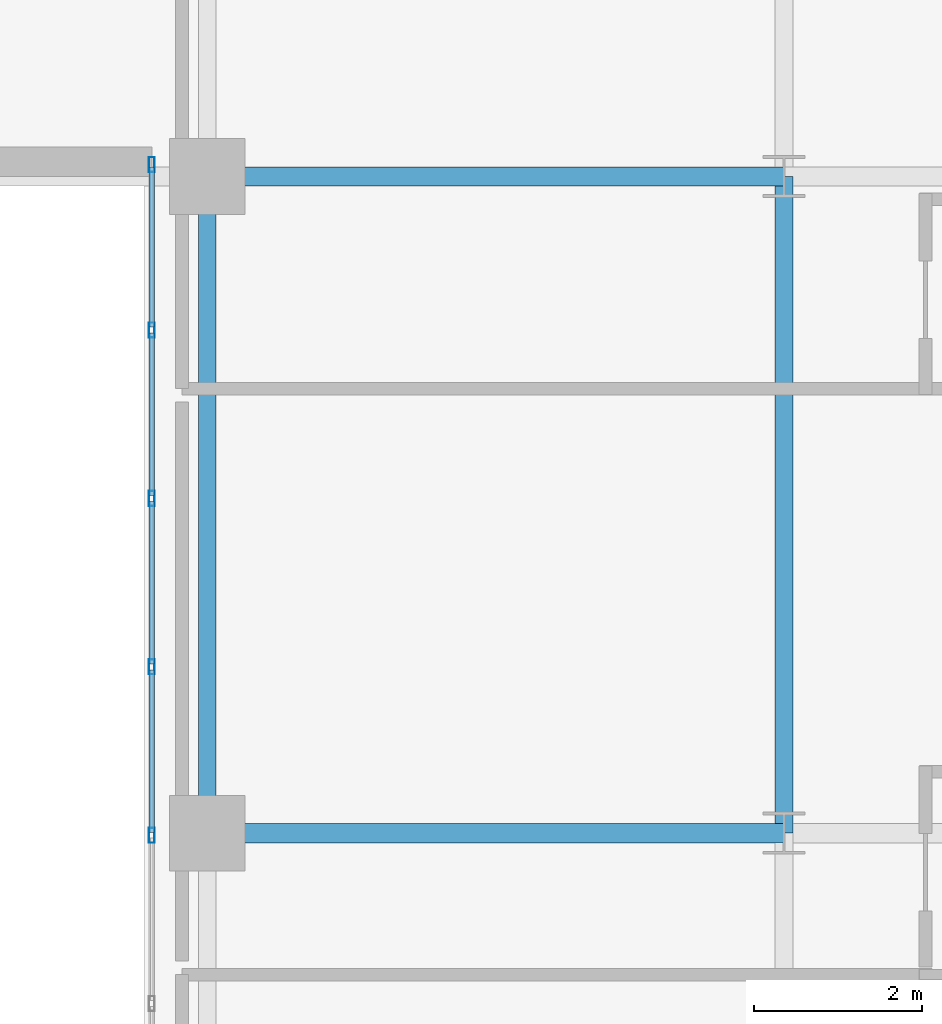
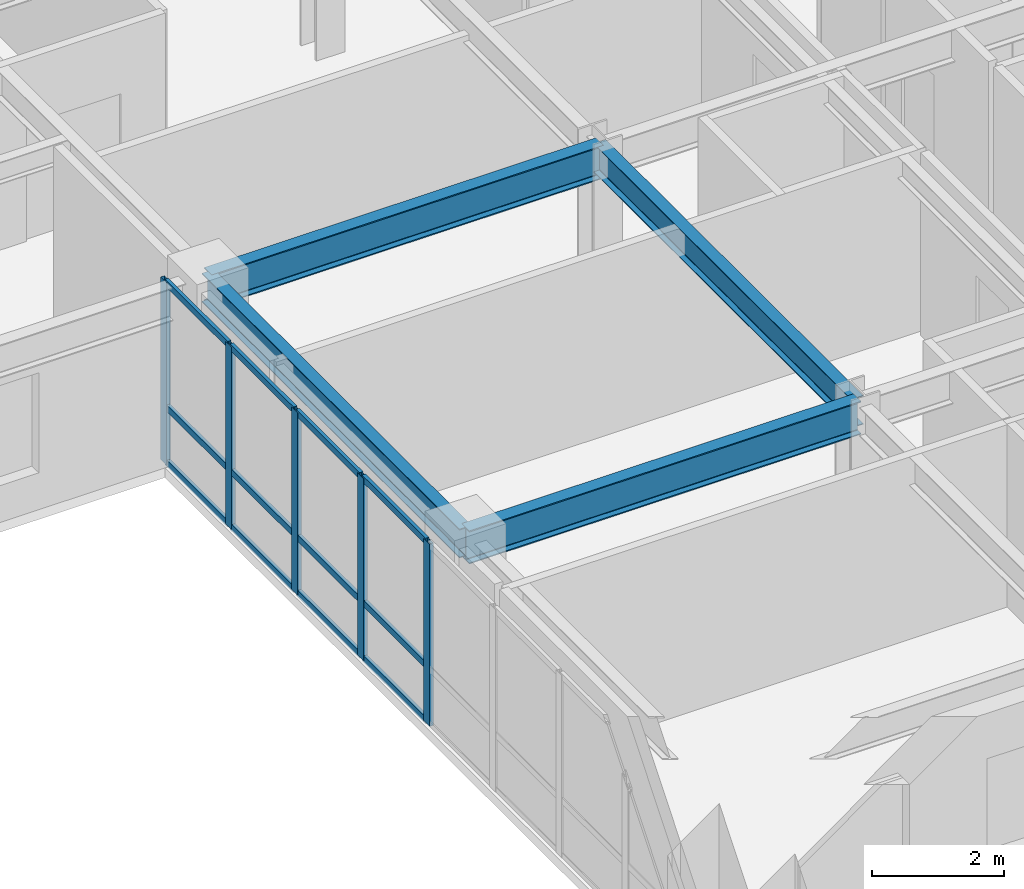
# One storey, part 7 of 17: 17 members, 4 beams, 1 element without a shape of its own.
"""IFC4 building model written with IfcOpenShell, lengths in metres."""

from ifc_helpers import new_model, si_unit, direction, frame, origin, origin_2d, place, context, subcontext, project, spatial, hollow_rectangle, i_section, extrude, source, transform, mapped, material, layer, layer_set, material_profile, profile_set, type_object, type_shapes, element, aggregate, save


model = new_model("IFC4")

# Units and contexts
model_context = context("Model", 3, precision=1e-05, world=origin(), true_north=direction((0.0, 1.0)))
body_context = subcontext(model_context, "Body", "Model", "MODEL_VIEW")
ifc_project = project(units=[si_unit("LENGTHUNIT", "METRE"), si_unit("AREAUNIT", "SQUARE_METRE"), si_unit("VOLUMEUNIT", "CUBIC_METRE"), si_unit("PLANEANGLEUNIT", "RADIAN"), si_unit("MASSUNIT", "GRAM", prefix="KILO")], contexts=[model_context])

# Site, building, storey
site_placement = place(None, origin())
site = spatial("IfcSite", under=ifc_project, at=site_placement, CompositionType="ELEMENT")
building_placement = place(site_placement, origin())
building = spatial("IfcBuilding", under=site, at=building_placement, Name="Tolvann Quenvar Hotel", CompositionType="ELEMENT")
storey_placement = place(building_placement, frame((0.0, 0.0, 136.39990234375)))
storey = spatial("IfcBuildingStorey", under=building, at=storey_placement, Name="L35", CompositionType="ELEMENT", Elevation=136.39990234375)

# Beams
ifc_material_1 = material(Name="Steel Grade 350", Category="steel")
ifc_material_profile_1 = material_profile(ifc_material_1, i_section(OverallWidth=0.22900390625, OverallDepth=0.612060546875, WebThickness=0.011962890625, FlangeThickness=0.01953125, FilletRadius=0.013916015625, at=origin_2d()), Name="610UB125")
ifc_profile_set_1 = profile_set([ifc_material_profile_1], Name="Steel Grade 350")
beam_type_1 = type_object("IfcBeamType", Name="BM_GIRD_610UB125", PredefinedType="BEAM", material=ifc_profile_set_1)
shared_shape_1 = source(origin(), body_context, "Body", "SweptSolid", [
    extrude(i_section(OverallWidth=0.22900390625, OverallDepth=0.612060546875, WebThickness=0.011962890625, FlangeThickness=0.01953125, FilletRadius=0.013916015625, at=origin_2d()), origin(), (0.0, 0.0, 1.0), 6.85009765625),
])
type_shapes(beam_type_1, [shared_shape_1])
for number, where, z_axis, x_axis, name in (
    (1, (34.949951171875, 8.199951171875, 3.064208984375), (1.0, 0.0, 0.0), (0.0, 1.0, 0.0), "BM-L35-EW-3-F3-H3"),
    (2, (34.949951171875, 16.0, 3.064208984375), (1.0, 0.0, 0.0), (0.0, 1.0, 0.0), "BM-L35-EW-4-F4-H4"),
):
    element("IfcBeam", number, at=place(storey_placement, frame(where, z_axis=z_axis, x_axis=x_axis)), inside=storey, type_object=beam_type_1, Name=name, PredefinedType="BEAM", context=body_context, shape_type="MappedRepresentation", body=[
        mapped(shared_shape_1, transform((0.0, 0.0, 0.0), x_axis=(1.0, 0.0, 0.0), y_axis=(0.0, 1.0, 0.0), z_axis=(0.0, 0.0, 1.0), scale=1.0)),
    ])
ifc_material_profile_2 = material_profile(ifc_material_1, i_section(OverallWidth=0.208984375, OverallDepth=0.532958984375, WebThickness=0.01025390625, FlangeThickness=0.015625, FilletRadius=0.013916015625, at=origin_2d()), Name="530UB92")
ifc_profile_set_2 = profile_set([ifc_material_profile_2], Name="Steel Grade 350")
beam_type_2 = type_object("IfcBeamType", Name="BM_GIRD_530UB92", PredefinedType="BEAM", material=ifc_profile_set_2)
shared_shape_2 = source(origin(), body_context, "Body", "SweptSolid", [
    extrude(i_section(OverallWidth=0.208984375, OverallDepth=0.532958984375, WebThickness=0.01025390625, FlangeThickness=0.015625, FilletRadius=0.013916015625, at=origin_2d()), origin(), (0.0, 0.0, 1.0), 7.800048828125),
])
type_shapes(beam_type_2, [shared_shape_2])
for number, where, z_axis, x_axis, name in (
    (3, (34.949951171875, 8.199951171875, 3.103515625), (0.0, 1.0, 0.0), (-1.0, 0.0, 0.0), "BM-L35-NS-F3-F4"),
    (4, (41.800048828125, 8.199951171875, 3.103515625), (0.0, 1.0, 0.0), (-1.0, 0.0, 0.0), "BM-L35-NS-H3-H4"),
):
    element("IfcBeam", number, at=place(storey_placement, frame(where, z_axis=z_axis, x_axis=x_axis)), inside=storey, type_object=beam_type_2, Name=name, PredefinedType="BEAM", context=body_context, shape_type="MappedRepresentation", body=[
        mapped(shared_shape_2, transform((0.0, 0.0, 0.0), x_axis=(1.0, 0.0, 0.0), y_axis=(0.0, 1.0, 0.0), z_axis=(0.0, 0.0, 1.0), scale=1.0)),
    ])

# Curtain wall, members
ifc_material_2 = material(Name="Thermally broken anodised architectural aluminium 6063-T6 and laminated low-E glass", Category="aluminium")
ifc_layer = layer(ifc_material_2, 0.179931640625)
ifc_layer_set = layer_set([ifc_layer], Name="Thermally broken anodised architectural aluminium 6063-T6 and laminated low-E glass")
curtain_wall_type = type_object("IfcCurtainWallType", Name="CW_SYS_SLOT_03", PredefinedType="USERDEFINED", material=ifc_layer_set)
curtain_wall_placement = place(storey_placement, origin())
curtain_wall = element("IfcCurtainWall", 5, at=curtain_wall_placement, inside=storey, type_object=curtain_wall_type, Name="Curtain Wall CW-SLOT-03 (CWR-L35-E07)", ObjectType="UNITISED CURTAIN WALL", PredefinedType="USERDEFINED")
ifc_material_3 = material(Name="Anodised architectural aluminium 6063-T6 framing", Category="aluminium")
ifc_material_profile_3 = material_profile(ifc_material_3, hollow_rectangle(XDim=0.070068359375, YDim=0.179931640625, WallThickness=0.00390625, at=origin_2d()), Name="180x70x4RHS")
ifc_profile_set_3 = profile_set([ifc_material_profile_3], Name="Anodised architectural aluminium 6063-T6 framing")
member_type_1 = type_object("IfcMemberType", Name="CW_MULL_180x70", PredefinedType="MULLION", material=ifc_profile_set_3)
shared_shape_3 = source(origin(), body_context, "Body", "SweptSolid", [
    extrude(hollow_rectangle(XDim=0.070068359375, YDim=0.179931640625, WallThickness=0.00390625, at=origin_2d()), origin(), (0.0, 0.0, 1.0), 3.3701171875),
])
type_shapes(member_type_1, [shared_shape_3])
member_1_placement = place(storey_placement, frame((34.2900390625, 16.139892578125, 0.0), z_axis=(0.0, 0.0, 1.0), x_axis=(1.0, 0.0, 0.0)))
member_1 = element("IfcMember", 6, at=member_1_placement, type_object=member_type_1, Name="CW-SLOT-03 mullion 1", PredefinedType="MULLION", context=body_context, shape_type="MappedRepresentation", body=[
    mapped(shared_shape_3, transform((0.0, 0.0, 0.0), x_axis=(1.0, 0.0, 0.0), y_axis=(0.0, 1.0, 0.0), z_axis=(0.0, 0.0, 1.0), scale=1.0)),
])
member_2_placement = place(storey_placement, frame((34.2900390625, 14.175048828125, 0.0), z_axis=(0.0, 0.0, 1.0), x_axis=(1.0, 0.0, 0.0)))
member_2 = element("IfcMember", 7, at=member_2_placement, type_object=member_type_1, Name="CW-SLOT-03 mullion 2", PredefinedType="MULLION", context=body_context, shape_type="MappedRepresentation", body=[
    mapped(shared_shape_3, transform((0.0, 0.0, 0.0), x_axis=(1.0, 0.0, 0.0), y_axis=(0.0, 1.0, 0.0), z_axis=(0.0, 0.0, 1.0), scale=1.0)),
])
member_3_placement = place(storey_placement, frame((34.2900390625, 12.175048828125, 0.0), z_axis=(0.0, 0.0, 1.0), x_axis=(1.0, 0.0, 0.0)))
member_3 = element("IfcMember", 8, at=member_3_placement, type_object=member_type_1, Name="CW-SLOT-03 mullion 3", PredefinedType="MULLION", context=body_context, shape_type="MappedRepresentation", body=[
    mapped(shared_shape_3, transform((0.0, 0.0, 0.0), x_axis=(1.0, 0.0, 0.0), y_axis=(0.0, 1.0, 0.0), z_axis=(0.0, 0.0, 1.0), scale=1.0)),
])
member_4_placement = place(storey_placement, frame((34.2900390625, 10.175048828125, 0.0), z_axis=(0.0, 0.0, 1.0), x_axis=(1.0, 0.0, 0.0)))
member_4 = element("IfcMember", 9, at=member_4_placement, type_object=member_type_1, Name="CW-SLOT-03 mullion 4", PredefinedType="MULLION", context=body_context, shape_type="MappedRepresentation", body=[
    mapped(shared_shape_3, transform((0.0, 0.0, 0.0), x_axis=(1.0, 0.0, 0.0), y_axis=(0.0, 1.0, 0.0), z_axis=(0.0, 0.0, 1.0), scale=1.0)),
])
member_5_placement = place(storey_placement, frame((34.2900390625, 8.175048828125, 0.0), z_axis=(0.0, 0.0, 1.0), x_axis=(1.0, 0.0, 0.0)))
member_5 = element("IfcMember", 10, at=member_5_placement, type_object=member_type_1, Name="CW-SLOT-03 mullion 5", PredefinedType="MULLION", context=body_context, shape_type="MappedRepresentation", body=[
    mapped(shared_shape_3, transform((0.0, 0.0, 0.0), x_axis=(1.0, 0.0, 0.0), y_axis=(0.0, 1.0, 0.0), z_axis=(0.0, 0.0, 1.0), scale=1.0)),
])
ifc_material_profile_4 = material_profile(ifc_material_3, hollow_rectangle(XDim=0.06005859375, YDim=0.1201171875, WallThickness=0.00341796875, at=origin_2d()), Name="120x60x3.5RHS")
ifc_profile_set_4 = profile_set([ifc_material_profile_4], Name="Anodised architectural aluminium 6063-T6 framing")
member_type_2 = type_object("IfcMemberType", Name="CW_TRAN_120x60", PredefinedType="USERDEFINED", material=ifc_profile_set_4)
shared_shape_4 = source(origin(), body_context, "Body", "SweptSolid", [
    extrude(hollow_rectangle(XDim=0.06005859375, YDim=0.1201171875, WallThickness=0.00341796875, at=origin_2d()), origin(), (0.0, 0.0, 1.0), 1.929931640625),
])
member_6_placement = place(storey_placement, frame((34.2900390625, 14.139892578125, 0.030029296875), z_axis=(0.0, -1.0, 0.0), x_axis=(1.0, 0.0, 0.0)))
member_6 = element("IfcMember", 11, at=member_6_placement, type_object=member_type_2, Name="CW-SLOT-03 transom 2.1", ObjectType="TRANSOM", PredefinedType="USERDEFINED", context=body_context, shape_type="MappedRepresentation", body=[
    mapped(shared_shape_4, transform((0.0, 0.0, 0.0), x_axis=(1.0, 0.0, 0.0), y_axis=(0.0, 1.0, 0.0), z_axis=(0.0, 0.0, 1.0), scale=1.0)),
])
member_7_placement = place(storey_placement, frame((34.2900390625, 14.139892578125, 1.050048828125), z_axis=(0.0, -1.0, 0.0), x_axis=(1.0, 0.0, 0.0)))
member_7 = element("IfcMember", 12, at=member_7_placement, type_object=member_type_2, Name="CW-SLOT-03 transom 2.2", ObjectType="TRANSOM", PredefinedType="USERDEFINED", context=body_context, shape_type="MappedRepresentation", body=[
    mapped(shared_shape_4, transform((0.0, 0.0, 0.0), x_axis=(1.0, 0.0, 0.0), y_axis=(0.0, 1.0, 0.0), z_axis=(0.0, 0.0, 1.0), scale=1.0)),
])
member_8_placement = place(storey_placement, frame((34.2900390625, 14.139892578125, 3.340087890625), z_axis=(0.0, -1.0, 0.0), x_axis=(1.0, 0.0, 0.0)))
member_8 = element("IfcMember", 13, at=member_8_placement, type_object=member_type_2, Name="CW-SLOT-03 transom 2.3", ObjectType="TRANSOM", PredefinedType="USERDEFINED", context=body_context, shape_type="MappedRepresentation", body=[
    mapped(shared_shape_4, transform((0.0, 0.0, 0.0), x_axis=(1.0, 0.0, 0.0), y_axis=(0.0, 1.0, 0.0), z_axis=(0.0, 0.0, 1.0), scale=1.0)),
])
member_9_placement = place(storey_placement, frame((34.2900390625, 12.139892578125, 0.030029296875), z_axis=(0.0, -1.0, 0.0), x_axis=(1.0, 0.0, 0.0)))
member_9 = element("IfcMember", 14, at=member_9_placement, type_object=member_type_2, Name="CW-SLOT-03 transom 3.1", ObjectType="TRANSOM", PredefinedType="USERDEFINED", context=body_context, shape_type="MappedRepresentation", body=[
    mapped(shared_shape_4, transform((0.0, 0.0, 0.0), x_axis=(1.0, 0.0, 0.0), y_axis=(0.0, 1.0, 0.0), z_axis=(0.0, 0.0, 1.0), scale=1.0)),
])
member_10_placement = place(storey_placement, frame((34.2900390625, 12.139892578125, 1.050048828125), z_axis=(0.0, -1.0, 0.0), x_axis=(1.0, 0.0, 0.0)))
member_10 = element("IfcMember", 15, at=member_10_placement, type_object=member_type_2, Name="CW-SLOT-03 transom 3.2", ObjectType="TRANSOM", PredefinedType="USERDEFINED", context=body_context, shape_type="MappedRepresentation", body=[
    mapped(shared_shape_4, transform((0.0, 0.0, 0.0), x_axis=(1.0, 0.0, 0.0), y_axis=(0.0, 1.0, 0.0), z_axis=(0.0, 0.0, 1.0), scale=1.0)),
])
member_11_placement = place(storey_placement, frame((34.2900390625, 12.139892578125, 3.340087890625), z_axis=(0.0, -1.0, 0.0), x_axis=(1.0, 0.0, 0.0)))
member_11 = element("IfcMember", 16, at=member_11_placement, type_object=member_type_2, Name="CW-SLOT-03 transom 3.3", ObjectType="TRANSOM", PredefinedType="USERDEFINED", context=body_context, shape_type="MappedRepresentation", body=[
    mapped(shared_shape_4, transform((0.0, 0.0, 0.0), x_axis=(1.0, 0.0, 0.0), y_axis=(0.0, 1.0, 0.0), z_axis=(0.0, 0.0, 1.0), scale=1.0)),
])
member_12_placement = place(storey_placement, frame((34.2900390625, 10.139892578125, 0.030029296875), z_axis=(0.0, -1.0, 0.0), x_axis=(1.0, 0.0, 0.0)))
member_12 = element("IfcMember", 17, at=member_12_placement, type_object=member_type_2, Name="CW-SLOT-03 transom 4.1", ObjectType="TRANSOM", PredefinedType="USERDEFINED", context=body_context, shape_type="MappedRepresentation", body=[
    mapped(shared_shape_4, transform((0.0, 0.0, 0.0), x_axis=(1.0, 0.0, 0.0), y_axis=(0.0, 1.0, 0.0), z_axis=(0.0, 0.0, 1.0), scale=1.0)),
])
member_13_placement = place(storey_placement, frame((34.2900390625, 10.139892578125, 1.050048828125), z_axis=(0.0, -1.0, 0.0), x_axis=(1.0, 0.0, 0.0)))
member_13 = element("IfcMember", 18, at=member_13_placement, type_object=member_type_2, Name="CW-SLOT-03 transom 4.2", ObjectType="TRANSOM", PredefinedType="USERDEFINED", context=body_context, shape_type="MappedRepresentation", body=[
    mapped(shared_shape_4, transform((0.0, 0.0, 0.0), x_axis=(1.0, 0.0, 0.0), y_axis=(0.0, 1.0, 0.0), z_axis=(0.0, 0.0, 1.0), scale=1.0)),
])
member_14_placement = place(storey_placement, frame((34.2900390625, 10.139892578125, 3.340087890625), z_axis=(0.0, -1.0, 0.0), x_axis=(1.0, 0.0, 0.0)))
member_14 = element("IfcMember", 19, at=member_14_placement, type_object=member_type_2, Name="CW-SLOT-03 transom 4.3", ObjectType="TRANSOM", PredefinedType="USERDEFINED", context=body_context, shape_type="MappedRepresentation", body=[
    mapped(shared_shape_4, transform((0.0, 0.0, 0.0), x_axis=(1.0, 0.0, 0.0), y_axis=(0.0, 1.0, 0.0), z_axis=(0.0, 0.0, 1.0), scale=1.0)),
])
shared_shape_5 = source(origin(), body_context, "Body", "SweptSolid", [
    extrude(hollow_rectangle(XDim=0.06005859375, YDim=0.1201171875, WallThickness=0.00341796875, at=origin_2d()), origin(), (0.0, 0.0, 1.0), 1.89501953125),
])
type_shapes(member_type_2, [shared_shape_4, shared_shape_5])
member_15_placement = place(storey_placement, frame((34.2900390625, 16.10498046875, 0.030029296875), z_axis=(0.0, -1.0, 0.0), x_axis=(1.0, 0.0, 0.0)))
member_15 = element("IfcMember", 20, at=member_15_placement, type_object=member_type_2, Name="CW-SLOT-03 transom 1.1", ObjectType="TRANSOM", PredefinedType="USERDEFINED", context=body_context, shape_type="MappedRepresentation", body=[
    mapped(shared_shape_5, transform((0.0, 0.0, 0.0), x_axis=(1.0, 0.0, 0.0), y_axis=(0.0, 1.0, 0.0), z_axis=(0.0, 0.0, 1.0), scale=1.0)),
])
member_16_placement = place(storey_placement, frame((34.2900390625, 16.10498046875, 1.050048828125), z_axis=(0.0, -1.0, 0.0), x_axis=(1.0, 0.0, 0.0)))
member_16 = element("IfcMember", 21, at=member_16_placement, type_object=member_type_2, Name="CW-SLOT-03 transom 1.2", ObjectType="TRANSOM", PredefinedType="USERDEFINED", context=body_context, shape_type="MappedRepresentation", body=[
    mapped(shared_shape_5, transform((0.0, 0.0, 0.0), x_axis=(1.0, 0.0, 0.0), y_axis=(0.0, 1.0, 0.0), z_axis=(0.0, 0.0, 1.0), scale=1.0)),
])
member_17_placement = place(storey_placement, frame((34.2900390625, 16.10498046875, 3.340087890625), z_axis=(0.0, -1.0, 0.0), x_axis=(1.0, 0.0, 0.0)))
member_17 = element("IfcMember", 22, at=member_17_placement, type_object=member_type_2, Name="CW-SLOT-03 transom 1.3", ObjectType="TRANSOM", PredefinedType="USERDEFINED", context=body_context, shape_type="MappedRepresentation", body=[
    mapped(shared_shape_5, transform((0.0, 0.0, 0.0), x_axis=(1.0, 0.0, 0.0), y_axis=(0.0, 1.0, 0.0), z_axis=(0.0, 0.0, 1.0), scale=1.0)),
])
aggregate(curtain_wall, [member_1, member_2, member_3, member_4, member_5, member_15, member_16, member_17, member_6, member_7, member_8, member_9, member_10, member_11, member_12, member_13, member_14])

save(model, "model.ifc")
